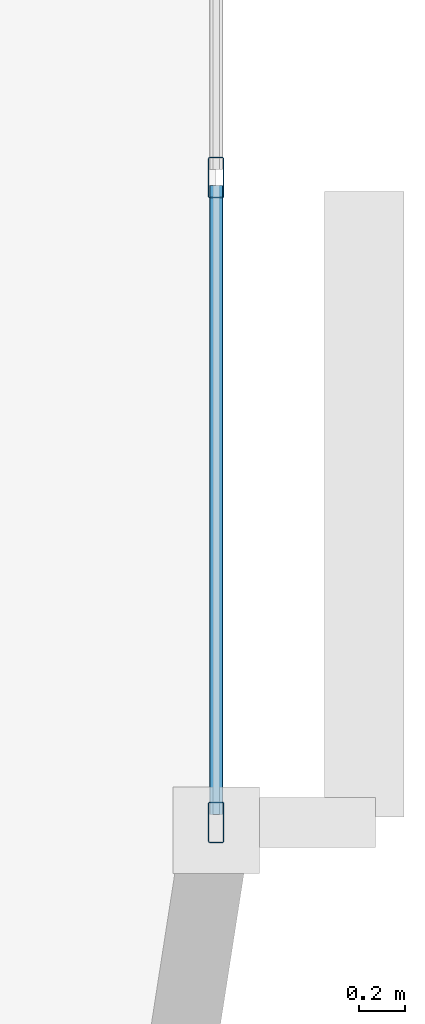
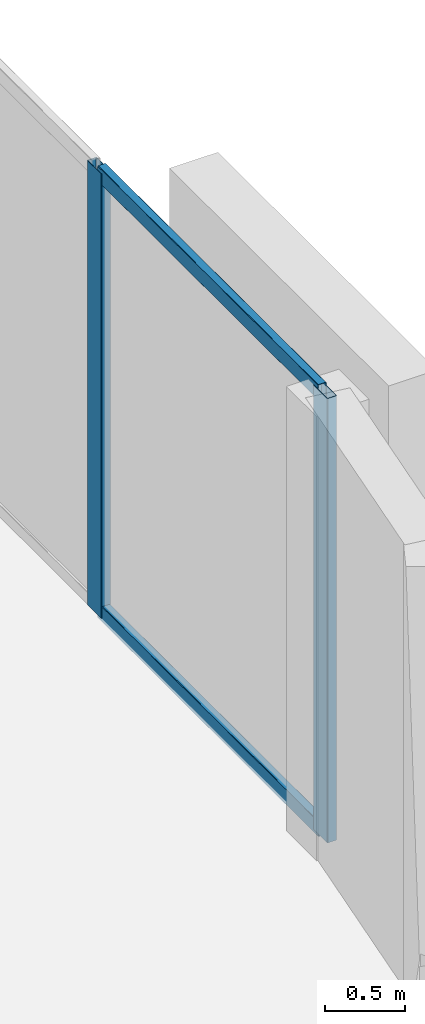
# One storey, part 4 of 16: 4 members, 1 element without a shape of its own.
"""IFC4 building model written with IfcOpenShell, lengths in metres."""

from ifc_helpers import new_model, si_unit, direction, frame, origin, origin_2d, place, context, subcontext, project, spatial, hollow_rectangle, extrude, material, layer, layer_set, material_profile, profile_set, type_object, element, aggregate, save


model = new_model("IFC4")

# Units and contexts
model_context = context("Model", 3, precision=1e-05, world=origin(), true_north=direction((0.0, 1.0)))
body_context = subcontext(model_context, "Body", "Model", "MODEL_VIEW")
ifc_project = project(units=[si_unit("LENGTHUNIT", "METRE"), si_unit("AREAUNIT", "SQUARE_METRE"), si_unit("VOLUMEUNIT", "CUBIC_METRE"), si_unit("PLANEANGLEUNIT", "RADIAN"), si_unit("MASSUNIT", "GRAM", prefix="KILO")], contexts=[model_context])

# Site, building, storey
site_placement = place(None, origin())
site = spatial("IfcSite", under=ifc_project, at=site_placement, CompositionType="ELEMENT")
building_placement = place(site_placement, origin())
building = spatial("IfcBuilding", under=site, at=building_placement, Name="An Khanh Terracotta Commons", CompositionType="ELEMENT")
storey_placement = place(building_placement, frame((0.0, 0.0, 100.699951171875)))
storey = spatial("IfcBuildingStorey", under=building, at=storey_placement, Name="L26", CompositionType="ELEMENT", Elevation=100.699951171875)

# Curtain wall, members
ifc_material = material(Name="Anodised Aluminium 6063-T6", Category="aluminium")
ifc_layer = layer(ifc_material, 0.199951171875, Name="Anodised Aluminium 6063-T6")
ifc_layer_set = layer_set([ifc_layer], Name="Anodised Aluminium 6063-T6")
curtain_wall_type = type_object("IfcCurtainWallType", Name="CW-SYS-02", PredefinedType="USERDEFINED", material=ifc_layer_set)
curtain_wall_placement = place(storey_placement, origin())
curtain_wall = element("IfcCurtainWall", 1, at=curtain_wall_placement, inside=storey, type_object=curtain_wall_type, Name="L26 CW-02 Unitised Curtain Wall CW-L26-12", ObjectType="UNITISED CURTAIN WALL", PredefinedType="USERDEFINED")
ifc_material_profile_1 = material_profile(ifc_material, hollow_rectangle(XDim=0.070068359375, YDim=0.179931640625, WallThickness=0.00390625, InnerFilletRadius=0.00390625, OuterFilletRadius=0.008056640625, at=origin_2d()), Name="RHS180x70x4")
ifc_profile_set_1 = profile_set([ifc_material_profile_1], Name="Anodised Aluminium 6063-T6")
member_type_1 = type_object("IfcMemberType", Name="CWM-RHS180x70x4", PredefinedType="MULLION", material=ifc_profile_set_1)
member_1_placement = place(storey_placement, frame((57.39990234375, 15.43505859375, 0.0), z_axis=(0.0, 0.0, 1.0), x_axis=(-1.0, 0.0, 0.0)))
member_1 = element("IfcMember", 2, at=member_1_placement, type_object=member_type_1, Name="CW-02 mullion 1", PredefinedType="MULLION", context=body_context, shape_type="SweptSolid", body=[
    extrude(hollow_rectangle(XDim=0.070068359375, YDim=0.179931640625, WallThickness=0.00390625, InnerFilletRadius=0.00390625, OuterFilletRadius=0.008056640625, at=origin_2d()), origin(), (0.0, 0.0, 1.0), 3.400146484375),
])
member_2_placement = place(storey_placement, frame((57.39990234375, 18.2666015625, 0.0), z_axis=(0.0, 0.0, 1.0), x_axis=(-1.0, 0.0, 0.0)))
member_2 = element("IfcMember", 3, at=member_2_placement, type_object=member_type_1, Name="CW-02 mullion 2", PredefinedType="MULLION", context=body_context, shape_type="SweptSolid", body=[
    extrude(hollow_rectangle(XDim=0.070068359375, YDim=0.179931640625, WallThickness=0.00390625, InnerFilletRadius=0.00390625, OuterFilletRadius=0.008056640625, at=origin_2d()), origin(), (0.0, 0.0, 1.0), 3.400146484375),
])
ifc_material_profile_2 = material_profile(ifc_material, hollow_rectangle(XDim=0.06005859375, YDim=0.1201171875, WallThickness=0.003662109375, InnerFilletRadius=0.003662109375, OuterFilletRadius=0.007080078125, at=origin_2d()), Name="RHS120x60x3.6")
ifc_profile_set_2 = profile_set([ifc_material_profile_2], Name="Anodised Aluminium 6063-T6")
member_type_2 = type_object("IfcMemberType", Name="CWT-RHS120x60x3.6", PredefinedType="USERDEFINED", material=ifc_profile_set_2)
member_3_placement = place(storey_placement, frame((57.39990234375, 15.469970703125, 0.030029296875), z_axis=(0.0, 1.0, 0.0), x_axis=(-1.0, 0.0, 0.0)))
member_3 = element("IfcMember", 4, at=member_3_placement, type_object=member_type_2, Name="CW-02 transom 1.1", ObjectType="TRANSOM", PredefinedType="USERDEFINED", context=body_context, shape_type="SweptSolid", body=[
    extrude(hollow_rectangle(XDim=0.06005859375, YDim=0.1201171875, WallThickness=0.003662109375, InnerFilletRadius=0.003662109375, OuterFilletRadius=0.007080078125, at=origin_2d()), origin(), (0.0, 0.0, 1.0), 2.76171875),
])
member_4_placement = place(storey_placement, frame((57.39990234375, 15.469970703125, 3.3701171875), z_axis=(0.0, 1.0, 0.0), x_axis=(-1.0, 0.0, 0.0)))
member_4 = element("IfcMember", 5, at=member_4_placement, type_object=member_type_2, Name="CW-02 transom 1.2", ObjectType="TRANSOM", PredefinedType="USERDEFINED", context=body_context, shape_type="SweptSolid", body=[
    extrude(hollow_rectangle(XDim=0.06005859375, YDim=0.1201171875, WallThickness=0.003662109375, InnerFilletRadius=0.003662109375, OuterFilletRadius=0.007080078125, at=origin_2d()), origin(), (0.0, 0.0, 1.0), 2.76171875),
])
aggregate(curtain_wall, [member_1, member_2, member_3, member_4])

save(model, "model.ifc")
